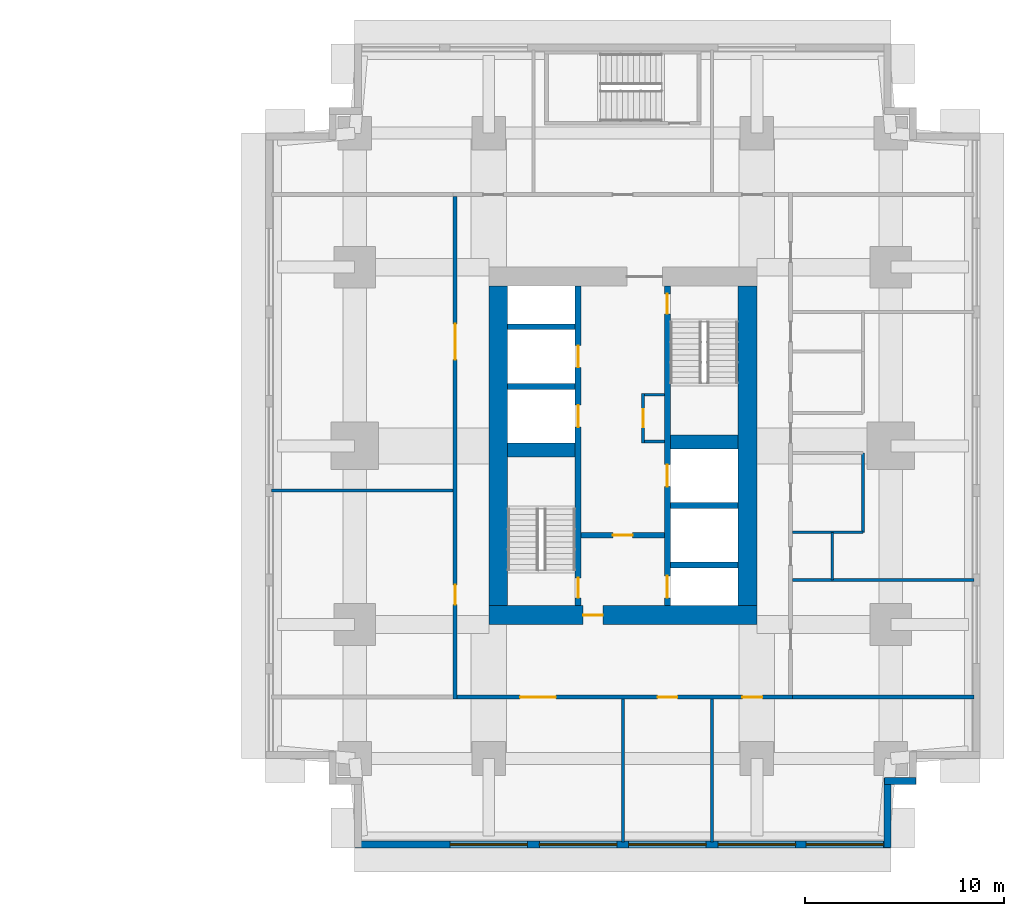
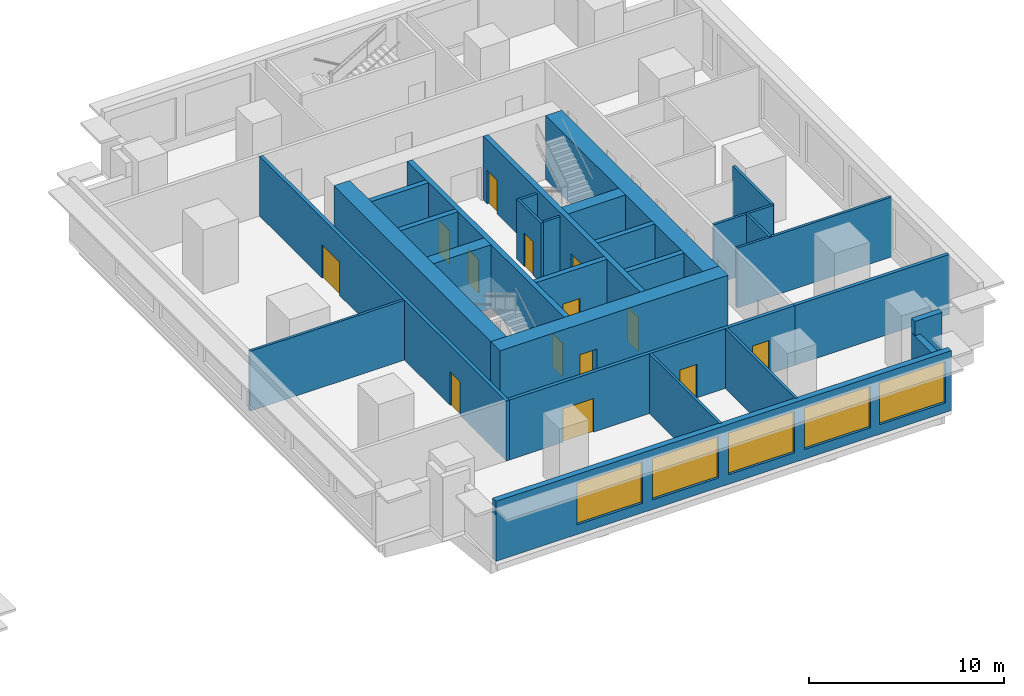
# One storey, part 6 of 11: 28 walls, 14 doors, 5 windows, 19 openings.
"""IFC4 building model written with IfcOpenShell, lengths in metres."""

from ifc_helpers import new_model, si_unit, direction, frame, frame_2d, origin, place, context, subcontext, project, spatial, rectangle, extrude, material, layer, layer_set, type_object, element, fill, save


model = new_model("IFC4")

# Units and contexts
model_context = context("Model", 3, precision=1e-05, world=origin(), true_north=direction((0.0, 1.0)))
body_context = subcontext(model_context, "Body", "Model", "MODEL_VIEW")
ifc_project = project(units=[si_unit("LENGTHUNIT", "METRE"), si_unit("AREAUNIT", "SQUARE_METRE"), si_unit("VOLUMEUNIT", "CUBIC_METRE"), si_unit("PLANEANGLEUNIT", "RADIAN"), si_unit("MASSUNIT", "GRAM", prefix="KILO")], contexts=[model_context])

# Site, building, storey
site_placement = place(None, origin())
site = spatial("IfcSite", under=ifc_project, at=site_placement, CompositionType="ELEMENT")
building_placement = place(site_placement, origin())
building = spatial("IfcBuilding", under=site, at=building_placement, Name="Namib Vertical Campus", CompositionType="ELEMENT")
storey_placement = place(building_placement, frame((0.0, 0.0, 69.0)))
storey = spatial("IfcBuildingStorey", under=building, at=storey_placement, Name="L16", CompositionType="ELEMENT", Elevation=69.0)

# Wall, openings, doors
ifc_material_1 = material(Name="Concrete C60/75", Category="concrete")
ifc_layer_1 = layer(ifc_material_1, 0.300048828125)
ifc_layer_set_1 = layer_set([ifc_layer_1], Name="Concrete C60/75")
wall_type_1 = type_object("IfcWallType", Name="Core inner wall 300", PredefinedType="SHEAR", material=ifc_layer_set_1)
wall_1_placement = place(storey_placement, frame((78.75, 12.199951171875, 0.0), z_axis=(0.0, 0.0, 1.0), x_axis=(0.0, 1.0, 0.0)))
wall_1 = element("IfcWall", 1, at=wall_1_placement, inside=storey, type_object=wall_type_1, Name="Core inner wall B L16 W1", PredefinedType="SHEAR", context=body_context, shape_type="SweptSolid", body=[
    extrude(rectangle(XDim=16.10009765625, YDim=0.300048828125, at=frame_2d((8.050048828125, 0.0))), origin(), (0.0, 0.0, 1.0), 4.0),
])
opening_1_placement = place(wall_1_placement, frame((0.39990234375, 0.0, 0.0)))
opening_1 = element("IfcOpeningElement", 2, at=opening_1_placement, cuts=wall_1, Name="Opening FD1", PredefinedType="OPENING", context=body_context, shape_type="SweptSolid", body=[
    extrude(rectangle(XDim=1.0, YDim=2.10009765625, at=frame_2d((0.5, 1.050048828125))), frame((0.0, 0.159912109375, 0.0), z_axis=(0.0, -1.0, 0.0), x_axis=(1.0, 0.0, 0.0)), (0.0, 0.0, 1.0), 0.320068359375),
])
opening_2_placement = place(wall_1_placement, frame((9.0, 0.0, 0.0)))
opening_2 = element("IfcOpeningElement", 3, at=opening_2_placement, cuts=wall_1, Name="Opening LD1", PredefinedType="OPENING", context=body_context, shape_type="SweptSolid", body=[
    extrude(rectangle(XDim=1.10009765625, YDim=2.10009765625, at=frame_2d((0.550048828125, 1.050048828125))), frame((0.0, 0.159912109375, 0.0), z_axis=(0.0, -1.0, 0.0), x_axis=(1.0, 0.0, 0.0)), (0.0, 0.0, 1.0), 0.320068359375),
])
opening_3_placement = place(wall_1_placement, frame((12.0, 0.0, 0.0)))
opening_3 = element("IfcOpeningElement", 4, at=opening_3_placement, cuts=wall_1, Name="Opening LD1", PredefinedType="OPENING", context=body_context, shape_type="SweptSolid", body=[
    extrude(rectangle(XDim=1.10009765625, YDim=2.10009765625, at=frame_2d((0.550048828125, 1.050048828125))), frame((0.0, 0.159912109375, 0.0), z_axis=(0.0, -1.0, 0.0), x_axis=(1.0, 0.0, 0.0)), (0.0, 0.0, 1.0), 0.320068359375),
])
ifc_material_2 = material(Name="Steel fire door", Category="steel")
door_type_1 = type_object("IfcDoorType", Name="Fire door 1000x2100", OperationType="SINGLE_SWING_RIGHT", PredefinedType="DOOR", material=ifc_material_2)
door_1_placement = place(opening_1_placement, origin())
door_1 = element("IfcDoor", 5, at=door_1_placement, inside=storey, type_object=door_type_1, Name="Stair door FD1 B L16 S1", OperationType="SINGLE_SWING_LEFT", OverallHeight=2.10009765625, OverallWidth=1.0, PredefinedType="DOOR", context=body_context, shape_type="SweptSolid", body=[
    extrude(rectangle(XDim=1.0, YDim=2.10009765625, at=frame_2d((0.5, 1.050048828125))), frame((0.0, 0.02490234375, 0.0), z_axis=(0.0, -1.0, 0.0), x_axis=(1.0, 0.0, 0.0)), (0.0, 0.0, 1.0), 0.050048828125),
])
fill(opening_1, door_1)
ifc_material_3 = material(Name="Stainless steel lift door", Category="steel")
door_type_2 = type_object("IfcDoorType", Name="Lift landing door 1100x2100", OperationType="DOUBLE_DOOR_SLIDING", PredefinedType="DOOR", material=ifc_material_3)
door_2_placement = place(opening_2_placement, origin())
door_2 = element("IfcDoor", 6, at=door_2_placement, inside=storey, type_object=door_type_2, Name="Lift landing door LD1 B-P1 L16", OperationType="DOUBLE_DOOR_SLIDING", OverallHeight=2.10009765625, OverallWidth=1.10009765625, PredefinedType="DOOR", context=body_context, shape_type="SweptSolid", body=[
    extrude(rectangle(XDim=1.10009765625, YDim=2.10009765625, at=frame_2d((0.550048828125, 1.050048828125))), frame((0.0, 0.02490234375, 0.0), z_axis=(0.0, -1.0, 0.0), x_axis=(1.0, 0.0, 0.0)), (0.0, 0.0, 1.0), 0.050048828125),
])
fill(opening_2, door_2)
door_3_placement = place(opening_3_placement, origin())
door_3 = element("IfcDoor", 7, at=door_3_placement, inside=storey, type_object=door_type_2, Name="Lift landing door LD1 B-P2 L16", OperationType="DOUBLE_DOOR_SLIDING", OverallHeight=2.10009765625, OverallWidth=1.10009765625, PredefinedType="DOOR", context=body_context, shape_type="SweptSolid", body=[
    extrude(rectangle(XDim=1.10009765625, YDim=2.10009765625, at=frame_2d((0.550048828125, 1.050048828125))), frame((0.0, 0.02490234375, 0.0), z_axis=(0.0, -1.0, 0.0), x_axis=(1.0, 0.0, 0.0)), (0.0, 0.0, 1.0), 0.050048828125),
])
fill(opening_3, door_3)

wall_2_placement = place(storey_placement, frame((83.25, 12.199951171875, 0.0), z_axis=(0.0, 0.0, 1.0), x_axis=(0.0, 1.0, 0.0)))
wall_2 = element("IfcWall", 8, at=wall_2_placement, inside=storey, type_object=wall_type_1, Name="Core inner wall B L16 W2", PredefinedType="SHEAR", context=body_context, shape_type="SweptSolid", body=[
    extrude(rectangle(XDim=16.10009765625, YDim=0.300048828125, at=frame_2d((8.050048828125, 0.0))), origin(), (0.0, 0.0, 1.0), 4.0),
])
opening_4_placement = place(wall_2_placement, frame((14.699951171875, 0.0, 0.0)))
opening_4 = element("IfcOpeningElement", 9, at=opening_4_placement, cuts=wall_2, Name="Opening FD1", PredefinedType="OPENING", context=body_context, shape_type="SweptSolid", body=[
    extrude(rectangle(XDim=1.0, YDim=2.10009765625, at=frame_2d((0.5, 1.050048828125))), frame((0.0, 0.159912109375, 0.0), z_axis=(0.0, -1.0, 0.0), x_axis=(1.0, 0.0, 0.0)), (0.0, 0.0, 1.0), 0.320068359375),
])
opening_5_placement = place(wall_2_placement, frame((0.39990234375, 0.0, 0.0)))
opening_5 = element("IfcOpeningElement", 10, at=opening_5_placement, cuts=wall_2, Name="Opening LD1", PredefinedType="OPENING", context=body_context, shape_type="SweptSolid", body=[
    extrude(rectangle(XDim=1.10009765625, YDim=2.10009765625, at=frame_2d((0.550048828125, 1.050048828125))), frame((0.0, 0.159912109375, 0.0), z_axis=(0.0, -1.0, 0.0), x_axis=(1.0, 0.0, 0.0)), (0.0, 0.0, 1.0), 0.320068359375),
])
opening_6_placement = place(wall_2_placement, frame((6.0, 0.0, 0.0)))
opening_6 = element("IfcOpeningElement", 11, at=opening_6_placement, cuts=wall_2, Name="Opening LD1", PredefinedType="OPENING", context=body_context, shape_type="SweptSolid", body=[
    extrude(rectangle(XDim=1.10009765625, YDim=2.10009765625, at=frame_2d((0.550048828125, 1.050048828125))), frame((0.0, 0.159912109375, 0.0), z_axis=(0.0, -1.0, 0.0), x_axis=(1.0, 0.0, 0.0)), (0.0, 0.0, 1.0), 0.320068359375),
])
door_4_placement = place(opening_4_placement, frame((1.0, 0.0, 0.0), z_axis=(0.0, 0.0, 1.0), x_axis=(-1.0, 0.0, 0.0)))
door_4 = element("IfcDoor", 12, at=door_4_placement, inside=storey, type_object=door_type_1, Name="Stair door FD1 B L16 S2", OperationType="SINGLE_SWING_LEFT", OverallHeight=2.10009765625, OverallWidth=1.0, PredefinedType="DOOR", context=body_context, shape_type="SweptSolid", body=[
    extrude(rectangle(XDim=1.0, YDim=2.10009765625, at=frame_2d((0.5, 1.050048828125))), frame((0.0, 0.02490234375, 0.0), z_axis=(0.0, -1.0, 0.0), x_axis=(1.0, 0.0, 0.0)), (0.0, 0.0, 1.0), 0.050048828125),
])
fill(opening_4, door_4)
door_5_placement = place(opening_5_placement, origin())
door_5 = element("IfcDoor", 13, at=door_5_placement, inside=storey, type_object=door_type_2, Name="Lift landing door LD1 B-FL1 L16", OperationType="DOUBLE_DOOR_SLIDING", OverallHeight=2.10009765625, OverallWidth=1.10009765625, PredefinedType="DOOR", context=body_context, shape_type="SweptSolid", body=[
    extrude(rectangle(XDim=1.10009765625, YDim=2.10009765625, at=frame_2d((0.550048828125, 1.050048828125))), frame((0.0, 0.02490234375, 0.0), z_axis=(0.0, -1.0, 0.0), x_axis=(1.0, 0.0, 0.0)), (0.0, 0.0, 1.0), 0.050048828125),
])
fill(opening_5, door_5)
door_6_placement = place(opening_6_placement, origin())
door_6 = element("IfcDoor", 14, at=door_6_placement, inside=storey, type_object=door_type_2, Name="Lift landing door LD1 B-P5 L16", OperationType="DOUBLE_DOOR_SLIDING", OverallHeight=2.10009765625, OverallWidth=1.10009765625, PredefinedType="DOOR", context=body_context, shape_type="SweptSolid", body=[
    extrude(rectangle(XDim=1.10009765625, YDim=2.10009765625, at=frame_2d((0.550048828125, 1.050048828125))), frame((0.0, 0.02490234375, 0.0), z_axis=(0.0, -1.0, 0.0), x_axis=(1.0, 0.0, 0.0)), (0.0, 0.0, 1.0), 0.050048828125),
])
fill(opening_6, door_6)

# Wall, opening, door
wall_3_placement = place(storey_placement, frame((78.89990234375, 15.75, 0.0), z_axis=(0.0, 0.0, 1.0), x_axis=(1.0, 0.0, 0.0)))
wall_3 = element("IfcWall", 15, at=wall_3_placement, inside=storey, type_object=wall_type_1, Name="Core inner wall B L16 W4", PredefinedType="SHEAR", context=body_context, shape_type="SweptSolid", body=[
    extrude(rectangle(XDim=4.2001953125, YDim=0.300048828125, at=frame_2d((2.10009765625, 0.0))), origin(), (0.0, 0.0, 1.0), 4.0),
])
opening_7_placement = place(wall_3_placement, frame((1.60009765625, 0.0, 0.0)))
opening_7 = element("IfcOpeningElement", 16, at=opening_7_placement, cuts=wall_3, Name="Opening FD5", PredefinedType="OPENING", context=body_context, shape_type="SweptSolid", body=[
    extrude(rectangle(XDim=1.0, YDim=2.10009765625, at=frame_2d((0.5, 1.050048828125))), frame((0.0, 0.159912109375, 0.0), z_axis=(0.0, -1.0, 0.0), x_axis=(1.0, 0.0, 0.0)), (0.0, 0.0, 1.0), 0.320068359375),
])
ifc_material_4 = material(Name="Steel fire door", Category="steel")
door_type_3 = type_object("IfcDoorType", Name="Fire door 1000x2100 120 min", OperationType="SINGLE_SWING_RIGHT", PredefinedType="DOOR", material=ifc_material_4)
door_7_placement = place(opening_7_placement, frame((1.0, 0.0, 0.0), z_axis=(0.0, 0.0, 1.0), x_axis=(-1.0, 0.0, 0.0)))
door_7 = element("IfcDoor", 17, at=door_7_placement, inside=storey, type_object=door_type_3, Name="Lobby door FD5 B L16", OperationType="SINGLE_SWING_RIGHT", OverallHeight=2.10009765625, OverallWidth=1.0, PredefinedType="DOOR", context=body_context, shape_type="SweptSolid", body=[
    extrude(rectangle(XDim=1.0, YDim=2.10009765625, at=frame_2d((0.5, 1.050048828125))), frame((0.0, 0.02490234375, 0.0), z_axis=(0.0, -1.0, 0.0), x_axis=(1.0, 0.0, 0.0)), (0.0, 0.0, 1.0), 0.050048828125),
])
fill(opening_7, door_7)

# Walls
for number, where, z_axis, x_axis, name in (
    (18, (83.39990234375, 14.25, 0.0), (0.0, 0.0, 1.0), (1.0, 0.0, 0.0), "Core inner wall B L16 W5"),
    (19, (83.39990234375, 17.25, 0.0), (0.0, 0.0, 1.0), (1.0, 0.0, 0.0), "Core inner wall B L16 W6"),
    (20, (75.199951171875, 23.25, 0.0), (0.0, 0.0, 1.0), (1.0, 0.0, 0.0), "Core inner wall B L16 W8"),
    (21, (75.199951171875, 26.25, 0.0), (0.0, 0.0, 1.0), (1.0, 0.0, 0.0), "Core inner wall B L16 W9"),
):
    element("IfcWall", number, at=place(storey_placement, frame(where, z_axis=z_axis, x_axis=x_axis)), inside=storey, type_object=wall_type_1, Name=name, PredefinedType="SHEAR", context=body_context, shape_type="SweptSolid", body=[
        extrude(rectangle(XDim=3.400146484375, YDim=0.300048828125, at=frame_2d((1.7001953125, 0.0))), origin(), (0.0, 0.0, 1.0), 4.0),
    ])
ifc_material_5 = material(Name="Concrete C60/75", Category="concrete")
ifc_layer_2 = layer(ifc_material_5, 0.699951171875)
ifc_layer_set_2 = layer_set([ifc_layer_2], Name="Concrete C60/75")
wall_type_2 = type_object("IfcWallType", Name="Core shear wall 700", PredefinedType="SHEAR", material=ifc_layer_set_2)
for number, where, z_axis, x_axis, name in (
    (22, (75.199951171875, 20.050048828125, 0.0), (0.0, 0.0, 1.0), (1.0, 0.0, 0.0), "Core shear wall B L16 W3"),
    (23, (83.39990234375, 20.449951171875, 0.0), (0.0, 0.0, 1.0), (1.0, 0.0, 0.0), "Core shear wall B L16 W7"),
):
    element("IfcWall", number, at=place(storey_placement, frame(where, z_axis=z_axis, x_axis=x_axis)), inside=storey, type_object=wall_type_2, Name=name, PredefinedType="SHEAR", context=body_context, shape_type="SweptSolid", body=[
        extrude(rectangle(XDim=3.400146484375, YDim=0.699951171875, at=frame_2d((1.7001953125, 0.0))), origin(), (0.0, 0.0, 1.0), 4.0),
    ])

# Wall, opening, door
ifc_material_6 = material(Name="Concrete C60/75", Category="concrete")
ifc_layer_3 = layer(ifc_material_6, 0.949951171875)
ifc_layer_set_3 = layer_set([ifc_layer_3], Name="Concrete C60/75")
wall_type_3 = type_object("IfcWallType", Name="Core wall 950", PredefinedType="SHEAR", material=ifc_layer_set_3)
wall_4_placement = place(storey_placement, frame((74.25, 11.72509765625, 0.0), z_axis=(0.0, 0.0, 1.0), x_axis=(1.0, 0.0, 0.0)))
wall_4 = element("IfcWall", 24, at=wall_4_placement, inside=storey, type_object=wall_type_3, Name="Core wall B L16 1", PredefinedType="SHEAR", context=body_context, shape_type="SweptSolid", body=[
    extrude(rectangle(XDim=13.5, YDim=0.949951171875, at=frame_2d((6.75, 0.0))), origin(), (0.0, 0.0, 1.0), 4.0),
])
opening_8_placement = place(wall_4_placement, frame((4.75, 0.0, 0.0)))
opening_8 = element("IfcOpeningElement", 25, at=opening_8_placement, cuts=wall_4, Name="Opening FD5", PredefinedType="OPENING", context=body_context, shape_type="SweptSolid", body=[
    extrude(rectangle(XDim=1.0, YDim=2.10009765625, at=frame_2d((0.5, 1.050048828125))), frame((0.0, 0.48486328125, 0.0), z_axis=(0.0, -1.0, 0.0), x_axis=(1.0, 0.0, 0.0)), (0.0, 0.0, 1.0), 0.969970703125),
])
door_8_placement = place(opening_8_placement, origin())
door_8 = element("IfcDoor", 26, at=door_8_placement, inside=storey, type_object=door_type_3, Name="Firefighting lobby door FD5 B L16", OperationType="SINGLE_SWING_LEFT", OverallHeight=2.10009765625, OverallWidth=1.0, PredefinedType="DOOR", context=body_context, shape_type="SweptSolid", body=[
    extrude(rectangle(XDim=1.0, YDim=2.10009765625, at=frame_2d((0.5, 1.050048828125))), frame((0.0, 0.02490234375, 0.0), z_axis=(0.0, -1.0, 0.0), x_axis=(1.0, 0.0, 0.0)), (0.0, 0.0, 1.0), 0.050048828125),
])
fill(opening_8, door_8)

# Walls
for number, where, z_axis, x_axis, name in (
    (27, (87.27490234375, 12.199951171875, 0.0), (0.0, 0.0, 1.0), (0.0, 1.0, 0.0), "Core wall B L16 2"),
    (28, (74.72509765625, 28.300048828125, 0.0), (0.0, 0.0, 1.0), (0.0, -1.0, 0.0), "Core wall B L16 4"),
):
    element("IfcWall", number, at=place(storey_placement, frame(where, z_axis=z_axis, x_axis=x_axis)), inside=storey, type_object=wall_type_3, Name=name, PredefinedType="SHEAR", context=body_context, shape_type="SweptSolid", body=[
        extrude(rectangle(XDim=16.10009765625, YDim=0.949951171875, at=frame_2d((8.050048828125, 0.0))), origin(), (0.0, 0.0, 1.0), 4.0),
    ])

# Wall, openings, doors
ifc_material_7 = material(Name="Concrete masonry", Category="masonry")
ifc_layer_4 = layer(ifc_material_7, 0.199951171875)
ifc_layer_set_4 = layer_set([ifc_layer_4], Name="Corridor wall 200")
wall_type_4 = type_object("IfcWallType", Name="Corridor wall 200", PredefinedType="SOLIDWALL", material=ifc_layer_set_4)
wall_5_placement = place(storey_placement, frame((72.64990234375, 7.60009765625, 0.0), z_axis=(0.0, 0.0, 1.0), x_axis=(1.0, 0.0, 0.0)))
wall_5 = element("IfcWall", 29, at=wall_5_placement, inside=storey, type_object=wall_type_4, Name="Corridor wall B L16 CS", PredefinedType="SOLIDWALL", context=body_context, shape_type="SweptSolid", body=[
    extrude(rectangle(XDim=16.900146484375, YDim=0.199951171875, at=frame_2d((8.4501953125, 0.0))), origin(), (0.0, 0.0, 1.0), 3.75),
])
opening_9_placement = place(wall_5_placement, frame((3.175048828125, 0.0, 0.0)))
opening_9 = element("IfcOpeningElement", 30, at=opening_9_placement, cuts=wall_5, Name="Opening CD2", PredefinedType="OPENING", context=body_context, shape_type="SweptSolid", body=[
    extrude(rectangle(XDim=1.800048828125, YDim=2.10009765625, at=frame_2d((0.89990234375, 1.050048828125))), frame((0.0, 0.10986328125, 0.0), z_axis=(0.0, -1.0, 0.0), x_axis=(1.0, 0.0, 0.0)), (0.0, 0.0, 1.0), 0.219970703125),
])
opening_10_placement = place(wall_5_placement, frame((10.10009765625, 0.0, 0.0)))
opening_10 = element("IfcOpeningElement", 31, at=opening_10_placement, cuts=wall_5, Name="Opening CD1", PredefinedType="OPENING", context=body_context, shape_type="SweptSolid", body=[
    extrude(rectangle(XDim=1.0, YDim=2.10009765625, at=frame_2d((0.5, 1.050048828125))), frame((0.0, 0.10986328125, 0.0), z_axis=(0.0, -1.0, 0.0), x_axis=(1.0, 0.0, 0.0)), (0.0, 0.0, 1.0), 0.219970703125),
])
opening_11_placement = place(wall_5_placement, frame((14.375, 0.0, 0.0)))
opening_11 = element("IfcOpeningElement", 32, at=opening_11_placement, cuts=wall_5, Name="Opening CD1", PredefinedType="OPENING", context=body_context, shape_type="SweptSolid", body=[
    extrude(rectangle(XDim=1.0, YDim=2.10009765625, at=frame_2d((0.5, 1.050048828125))), frame((0.0, 0.10986328125, 0.0), z_axis=(0.0, -1.0, 0.0), x_axis=(1.0, 0.0, 0.0)), (0.0, 0.0, 1.0), 0.219970703125),
])
ifc_material_8 = material(Name="Timber fire door leaf", Category="wood")
door_type_4 = type_object("IfcDoorType", Name="Corridor door 1000x2100 20 min", OperationType="SINGLE_SWING_LEFT", PredefinedType="DOOR", material=ifc_material_8)
door_9_placement = place(opening_10_placement, frame((1.0, 0.0, 0.0), z_axis=(0.0, 0.0, 1.0), x_axis=(-1.0, 0.0, 0.0)))
door_9 = element("IfcDoor", 33, at=door_9_placement, inside=storey, type_object=door_type_4, Name="Door CD1 B16-02", OperationType="SINGLE_SWING_RIGHT", OverallHeight=2.10009765625, OverallWidth=1.0, PredefinedType="DOOR", context=body_context, shape_type="SweptSolid", body=[
    extrude(rectangle(XDim=1.0, YDim=2.10009765625, at=frame_2d((0.5, 1.050048828125))), frame((0.0, 0.02490234375, 0.0), z_axis=(0.0, -1.0, 0.0), x_axis=(1.0, 0.0, 0.0)), (0.0, 0.0, 1.0), 0.050048828125),
])
fill(opening_10, door_9)
door_10_placement = place(opening_11_placement, frame((1.0, 0.0, 0.0), z_axis=(0.0, 0.0, 1.0), x_axis=(-1.0, 0.0, 0.0)))
door_10 = element("IfcDoor", 34, at=door_10_placement, inside=storey, type_object=door_type_4, Name="Door CD1 B16-03", OperationType="SINGLE_SWING_RIGHT", OverallHeight=2.10009765625, OverallWidth=1.0, PredefinedType="DOOR", context=body_context, shape_type="SweptSolid", body=[
    extrude(rectangle(XDim=1.0, YDim=2.10009765625, at=frame_2d((0.5, 1.050048828125))), frame((0.0, 0.02490234375, 0.0), z_axis=(0.0, -1.0, 0.0), x_axis=(1.0, 0.0, 0.0)), (0.0, 0.0, 1.0), 0.050048828125),
])
fill(opening_11, door_10)
ifc_material_9 = material(Name="Timber fire door leaf", Category="wood")
door_type_5 = type_object("IfcDoorType", Name="Corridor door double 1800x2100 20 min", OperationType="DOUBLE_DOOR_SINGLE_SWING", PredefinedType="DOOR", material=ifc_material_9)
door_11_placement = place(opening_9_placement, frame((1.800048828125, 0.0, 0.0), z_axis=(0.0, 0.0, 1.0), x_axis=(-1.0, 0.0, 0.0)))
door_11 = element("IfcDoor", 35, at=door_11_placement, inside=storey, type_object=door_type_5, Name="Door CD2 B16-01", OperationType="DOUBLE_DOOR_SINGLE_SWING", OverallHeight=2.10009765625, OverallWidth=1.800048828125, PredefinedType="DOOR", context=body_context, shape_type="SweptSolid", body=[
    extrude(rectangle(XDim=1.800048828125, YDim=2.10009765625, at=frame_2d((0.89990234375, 1.050048828125))), frame((0.0, 0.02490234375, 0.0), z_axis=(0.0, -1.0, 0.0), x_axis=(1.0, 0.0, 0.0)), (0.0, 0.0, 1.0), 0.050048828125),
])
fill(opening_9, door_11)

wall_6_placement = place(storey_placement, frame((72.550048828125, 32.800048828125, 0.0), z_axis=(0.0, 0.0, 1.0), x_axis=(0.0, -1.0, 0.0)))
wall_6 = element("IfcWall", 36, at=wall_6_placement, inside=storey, type_object=wall_type_4, Name="Corridor wall B L16 CW", PredefinedType="SOLIDWALL", context=body_context, shape_type="SweptSolid", body=[
    extrude(rectangle(XDim=25.300048828125, YDim=0.199951171875, at=frame_2d((12.64990234375, 0.0))), origin(), (0.0, 0.0, 1.0), 3.75),
])
opening_12_placement = place(wall_6_placement, frame((19.550048828125, 0.0, 0.0)))
opening_12 = element("IfcOpeningElement", 37, at=opening_12_placement, cuts=wall_6, Name="Opening CD1", PredefinedType="OPENING", context=body_context, shape_type="SweptSolid", body=[
    extrude(rectangle(XDim=1.0, YDim=2.10009765625, at=frame_2d((0.5, 1.050048828125))), frame((0.0, 0.10986328125, 0.0), z_axis=(0.0, -1.0, 0.0), x_axis=(1.0, 0.0, 0.0)), (0.0, 0.0, 1.0), 0.219970703125),
])
opening_13_placement = place(wall_6_placement, frame((6.39990234375, 0.0, 0.0)))
opening_13 = element("IfcOpeningElement", 38, at=opening_13_placement, cuts=wall_6, Name="Opening CD2", PredefinedType="OPENING", context=body_context, shape_type="SweptSolid", body=[
    extrude(rectangle(XDim=1.800048828125, YDim=2.10009765625, at=frame_2d((0.89990234375, 1.050048828125))), frame((0.0, 0.10986328125, 0.0), z_axis=(0.0, -1.0, 0.0), x_axis=(1.0, 0.0, 0.0)), (0.0, 0.0, 1.0), 0.219970703125),
])
door_12_placement = place(opening_12_placement, frame((1.0, 0.0, 0.0), z_axis=(0.0, 0.0, 1.0), x_axis=(-1.0, 0.0, 0.0)))
door_12 = element("IfcDoor", 39, at=door_12_placement, inside=storey, type_object=door_type_4, Name="Door CD1 B16-14", OperationType="SINGLE_SWING_RIGHT", OverallHeight=2.10009765625, OverallWidth=1.0, PredefinedType="DOOR", context=body_context, shape_type="SweptSolid", body=[
    extrude(rectangle(XDim=1.0, YDim=2.10009765625, at=frame_2d((0.5, 1.050048828125))), frame((0.0, 0.02490234375, 0.0), z_axis=(0.0, -1.0, 0.0), x_axis=(1.0, 0.0, 0.0)), (0.0, 0.0, 1.0), 0.050048828125),
])
fill(opening_12, door_12)
door_13_placement = place(opening_13_placement, frame((1.800048828125, 0.0, 0.0), z_axis=(0.0, 0.0, 1.0), x_axis=(-1.0, 0.0, 0.0)))
door_13 = element("IfcDoor", 40, at=door_13_placement, inside=storey, type_object=door_type_5, Name="Door CD2 B16-15", OperationType="DOUBLE_DOOR_SINGLE_SWING", OverallHeight=2.10009765625, OverallWidth=1.800048828125, PredefinedType="DOOR", context=body_context, shape_type="SweptSolid", body=[
    extrude(rectangle(XDim=1.800048828125, YDim=2.10009765625, at=frame_2d((0.89990234375, 1.050048828125))), frame((0.0, 0.02490234375, 0.0), z_axis=(0.0, -1.0, 0.0), x_axis=(1.0, 0.0, 0.0)), (0.0, 0.0, 1.0), 0.050048828125),
])
fill(opening_13, door_13)

# Wall
wall_7_placement = place(storey_placement, frame((89.550048828125, 7.60009765625, 0.0), z_axis=(0.0, 0.0, 1.0), x_axis=(1.0, 0.0, 0.0)))
element("IfcWall", 41, at=wall_7_placement, inside=storey, type_object=wall_type_4, Name="Partition B L16 BSE", PredefinedType="SOLIDWALL", context=body_context, shape_type="SweptSolid", body=[
    extrude(rectangle(XDim=9.14990234375, YDim=0.199951171875, at=frame_2d((4.574951171875, 0.0))), origin(), (0.0, 0.0, 1.0), 3.75),
])

# Wall, openings, windows
ifc_material_10 = material(Name="Concrete C40/50", Category="concrete")
ifc_layer_5 = layer(ifc_material_10, 0.35009765625)
ifc_layer_set_5 = layer_set([ifc_layer_5], Name="Concrete C40/50")
wall_type_5 = type_object("IfcWallType", Name="External wall 350 bush-hammered concrete", PredefinedType="STANDARD", material=ifc_layer_set_5)
wall_8_placement = place(storey_placement, frame((67.52001953125, 0.175048828125, 0.0), z_axis=(0.0, 0.0, 1.0), x_axis=(1.0, 0.0, 0.0)))
wall_8 = element("IfcWall", 42, at=wall_8_placement, inside=storey, type_object=wall_type_5, Name="External wall L16 F01", PredefinedType="STANDARD", context=body_context, shape_type="SweptSolid", body=[
    extrude(rectangle(XDim=26.9599609375, YDim=0.35009765625, at=frame_2d((13.47998046875, 0.0))), origin(), (0.0, 0.0, 1.0), 3.75),
])
opening_14_placement = place(wall_8_placement, frame((4.780029296875, 0.0, 0.60009765625)))
opening_14 = element("IfcOpeningElement", 43, at=opening_14_placement, cuts=wall_8, Name="Opening W2", PredefinedType="OPENING", context=body_context, shape_type="SweptSolid", body=[
    extrude(rectangle(XDim=3.89990234375, YDim=2.60009765625, at=frame_2d((1.949951171875, 1.300048828125))), frame((0.0, 0.18505859375, 0.0), z_axis=(0.0, -1.0, 0.0), x_axis=(1.0, 0.0, 0.0)), (0.0, 0.0, 1.0), 0.3701171875),
])
opening_15_placement = place(wall_8_placement, frame((9.280029296875, 0.0, 0.60009765625)))
opening_15 = element("IfcOpeningElement", 44, at=opening_15_placement, cuts=wall_8, Name="Opening W2", PredefinedType="OPENING", context=body_context, shape_type="SweptSolid", body=[
    extrude(rectangle(XDim=3.89990234375, YDim=2.60009765625, at=frame_2d((1.949951171875, 1.300048828125))), frame((0.0, 0.18505859375, 0.0), z_axis=(0.0, -1.0, 0.0), x_axis=(1.0, 0.0, 0.0)), (0.0, 0.0, 1.0), 0.3701171875),
])
opening_16_placement = place(wall_8_placement, frame((13.780029296875, 0.0, 0.60009765625)))
opening_16 = element("IfcOpeningElement", 45, at=opening_16_placement, cuts=wall_8, Name="Opening W2", PredefinedType="OPENING", context=body_context, shape_type="SweptSolid", body=[
    extrude(rectangle(XDim=3.89990234375, YDim=2.60009765625, at=frame_2d((1.949951171875, 1.300048828125))), frame((0.0, 0.18505859375, 0.0), z_axis=(0.0, -1.0, 0.0), x_axis=(1.0, 0.0, 0.0)), (0.0, 0.0, 1.0), 0.3701171875),
])
opening_17_placement = place(wall_8_placement, frame((18.280029296875, 0.0, 0.60009765625)))
opening_17 = element("IfcOpeningElement", 46, at=opening_17_placement, cuts=wall_8, Name="Opening W2", PredefinedType="OPENING", context=body_context, shape_type="SweptSolid", body=[
    extrude(rectangle(XDim=3.89990234375, YDim=2.60009765625, at=frame_2d((1.949951171875, 1.300048828125))), frame((0.0, 0.18505859375, 0.0), z_axis=(0.0, -1.0, 0.0), x_axis=(1.0, 0.0, 0.0)), (0.0, 0.0, 1.0), 0.3701171875),
])
opening_18_placement = place(wall_8_placement, frame((22.7099609375, 0.0, 0.60009765625)))
opening_18 = element("IfcOpeningElement", 47, at=opening_18_placement, cuts=wall_8, Name="Opening W2", PredefinedType="OPENING", context=body_context, shape_type="SweptSolid", body=[
    extrude(rectangle(XDim=3.89990234375, YDim=2.60009765625, at=frame_2d((1.949951171875, 1.300048828125))), frame((0.0, 0.18505859375, 0.0), z_axis=(0.0, -1.0, 0.0), x_axis=(1.0, 0.0, 0.0)), (0.0, 0.0, 1.0), 0.3701171875),
])
ifc_material_11 = material(Name="Dark tinted glass in black aluminium frame", Category="aluminium")
window_type = type_object("IfcWindowType", Name="Ribbon window 3900x2600", PartitioningType="SINGLE_PANEL", PredefinedType="WINDOW", material=ifc_material_11)
window_1_placement = place(opening_14_placement, origin())
window_1 = element("IfcWindow", 48, at=window_1_placement, inside=storey, type_object=window_type, Name="Window W2 L16 F01-2", OverallHeight=2.60009765625, OverallWidth=3.89990234375, PartitioningType="SINGLE_PANEL", PredefinedType="WINDOW", context=body_context, shape_type="SweptSolid", body=[
    extrude(rectangle(XDim=3.89990234375, YDim=2.60009765625, at=frame_2d((1.949951171875, 1.300048828125))), frame((0.0, 0.030029296875, 0.0), z_axis=(0.0, -1.0, 0.0), x_axis=(1.0, 0.0, 0.0)), (0.0, 0.0, 1.0), 0.06005859375),
])
fill(opening_14, window_1)
window_2_placement = place(opening_15_placement, origin())
window_2 = element("IfcWindow", 49, at=window_2_placement, inside=storey, type_object=window_type, Name="Window W2 L16 F01-3", OverallHeight=2.60009765625, OverallWidth=3.89990234375, PartitioningType="SINGLE_PANEL", PredefinedType="WINDOW", context=body_context, shape_type="SweptSolid", body=[
    extrude(rectangle(XDim=3.89990234375, YDim=2.60009765625, at=frame_2d((1.949951171875, 1.300048828125))), frame((0.0, 0.030029296875, 0.0), z_axis=(0.0, -1.0, 0.0), x_axis=(1.0, 0.0, 0.0)), (0.0, 0.0, 1.0), 0.06005859375),
])
fill(opening_15, window_2)
window_3_placement = place(opening_16_placement, origin())
window_3 = element("IfcWindow", 50, at=window_3_placement, inside=storey, type_object=window_type, Name="Window W2 L16 F01-4", OverallHeight=2.60009765625, OverallWidth=3.89990234375, PartitioningType="SINGLE_PANEL", PredefinedType="WINDOW", context=body_context, shape_type="SweptSolid", body=[
    extrude(rectangle(XDim=3.89990234375, YDim=2.60009765625, at=frame_2d((1.949951171875, 1.300048828125))), frame((0.0, 0.030029296875, 0.0), z_axis=(0.0, -1.0, 0.0), x_axis=(1.0, 0.0, 0.0)), (0.0, 0.0, 1.0), 0.06005859375),
])
fill(opening_16, window_3)
window_4_placement = place(opening_17_placement, origin())
window_4 = element("IfcWindow", 51, at=window_4_placement, inside=storey, type_object=window_type, Name="Window W2 L16 F01-5", OverallHeight=2.60009765625, OverallWidth=3.89990234375, PartitioningType="SINGLE_PANEL", PredefinedType="WINDOW", context=body_context, shape_type="SweptSolid", body=[
    extrude(rectangle(XDim=3.89990234375, YDim=2.60009765625, at=frame_2d((1.949951171875, 1.300048828125))), frame((0.0, 0.030029296875, 0.0), z_axis=(0.0, -1.0, 0.0), x_axis=(1.0, 0.0, 0.0)), (0.0, 0.0, 1.0), 0.06005859375),
])
fill(opening_17, window_4)
window_5_placement = place(opening_18_placement, origin())
window_5 = element("IfcWindow", 52, at=window_5_placement, inside=storey, type_object=window_type, Name="Window W2 L16 F01-6", OverallHeight=2.60009765625, OverallWidth=3.89990234375, PartitioningType="SINGLE_PANEL", PredefinedType="WINDOW", context=body_context, shape_type="SweptSolid", body=[
    extrude(rectangle(XDim=3.89990234375, YDim=2.60009765625, at=frame_2d((1.949951171875, 1.300048828125))), frame((0.0, 0.030029296875, 0.0), z_axis=(0.0, -1.0, 0.0), x_axis=(1.0, 0.0, 0.0)), (0.0, 0.0, 1.0), 0.06005859375),
])
fill(opening_18, window_5)

# Walls
wall_9_placement = place(storey_placement, frame((94.324951171875, 0.02001953125, 0.0), z_axis=(0.0, 0.0, 1.0), x_axis=(0.0, 1.0, 0.0)))
element("IfcWall", 53, at=wall_9_placement, inside=storey, type_object=wall_type_5, Name="External wall L16 F02", PredefinedType="STANDARD", context=body_context, shape_type="SweptSolid", body=[
    extrude(rectangle(XDim=3.510009765625, YDim=0.35009765625, at=frame_2d((1.7548828125, 0.0))), origin(), (0.0, 0.0, 1.0), 2.85009765625),
])
wall_10_placement = place(storey_placement, frame((94.169921875, 3.375, 0.0), z_axis=(0.0, 0.0, 1.0), x_axis=(1.0, 0.0, 0.0)))
element("IfcWall", 54, at=wall_10_placement, inside=storey, type_object=wall_type_5, Name="External wall L16 F03", PredefinedType="STANDARD", context=body_context, shape_type="SweptSolid", body=[
    extrude(rectangle(XDim=1.610107421875, YDim=0.35009765625, at=frame_2d((0.80517578125, 0.0))), origin(), (0.0, 0.0, 1.0), 3.75),
])

# Wall, opening, door
ifc_material_12 = material(Name="Gypsum board on steel studs", Category="steel")
ifc_layer_6 = layer(ifc_material_12, 0.14990234375)
ifc_layer_set_6 = layer_set([ifc_layer_6], Name="Gypsum board on steel studs")
wall_type_6 = type_object("IfcWallType", Name="Partition 150", PredefinedType="PARTITIONING", material=ifc_layer_set_6)
wall_11_placement = place(storey_placement, frame((82.02490234375, 20.39990234375, 0.0), z_axis=(0.0, 0.0, 1.0), x_axis=(0.0, 1.0, 0.0)))
wall_11 = element("IfcWall", 55, at=wall_11_placement, inside=storey, type_object=wall_type_6, Name="Partition B L16 Cleaners' store front", PredefinedType="PARTITIONING", context=body_context, shape_type="SweptSolid", body=[
    extrude(rectangle(XDim=2.5, YDim=0.14990234375, at=frame_2d((1.25, 0.0))), origin(), (0.0, 0.0, 1.0), 3.75),
])
opening_19_placement = place(wall_11_placement, frame((0.800048828125, 0.0, 0.0)))
opening_19 = element("IfcOpeningElement", 56, at=opening_19_placement, cuts=wall_11, Name="Opening D3", PredefinedType="OPENING", context=body_context, shape_type="SweptSolid", body=[
    extrude(rectangle(XDim=0.89990234375, YDim=2.10009765625, at=frame_2d((0.449951171875, 1.050048828125))), frame((0.0, 0.0849609375, 0.0), z_axis=(0.0, -1.0, 0.0), x_axis=(1.0, 0.0, 0.0)), (0.0, 0.0, 1.0), 0.169921875),
])
ifc_material_13 = material(Name="Timber door leaf", Category="wood")
door_type_6 = type_object("IfcDoorType", Name="Toilet door 900x2100", OperationType="SINGLE_SWING_LEFT", PredefinedType="DOOR", material=ifc_material_13)
door_14_placement = place(opening_19_placement, frame((0.89990234375, 0.0, 0.0), z_axis=(0.0, 0.0, 1.0), x_axis=(-1.0, 0.0, 0.0)))
door_14 = element("IfcDoor", 57, at=door_14_placement, inside=storey, type_object=door_type_6, Name="Door D3 Cleaners' store B L16", OperationType="SINGLE_SWING_RIGHT", OverallHeight=2.10009765625, OverallWidth=0.89990234375, PredefinedType="DOOR", context=body_context, shape_type="SweptSolid", body=[
    extrude(rectangle(XDim=0.89990234375, YDim=2.10009765625, at=frame_2d((0.449951171875, 1.050048828125))), frame((0.0, 0.02490234375, 0.0), z_axis=(0.0, -1.0, 0.0), x_axis=(1.0, 0.0, 0.0)), (0.0, 0.0, 1.0), 0.050048828125),
])
fill(opening_19, door_14)

# Walls
for number, where, z_axis, x_axis, name in (
    (58, (82.10009765625, 20.47509765625, 0.0), (0.0, 0.0, 1.0), (1.0, 0.0, 0.0), "Partition B L16 Cleaners' store end 1"),
    (59, (82.10009765625, 22.824951171875, 0.0), (0.0, 0.0, 1.0), (1.0, 0.0, 0.0), "Partition B L16 Cleaners' store end 2"),
):
    element("IfcWall", number, at=place(storey_placement, frame(where, z_axis=z_axis, x_axis=x_axis)), inside=storey, type_object=wall_type_6, Name=name, PredefinedType="PARTITIONING", context=body_context, shape_type="SweptSolid", body=[
        extrude(rectangle(XDim=1.0, YDim=0.14990234375, at=frame_2d((0.5, 0.0))), origin(), (0.0, 0.0, 1.0), 3.75),
    ])
for number, where, z_axis, x_axis, name in (
    (60, (81.0, 0.300048828125, 0.0), (0.0, 0.0, 1.0), (0.0, 1.0, 0.0), "Partition B L16 PS1"),
    (61, (85.5, 0.300048828125, 0.0), (0.0, 0.0, 1.0), (0.0, 1.0, 0.0), "Partition B L16 PS2"),
):
    element("IfcWall", number, at=place(storey_placement, frame(where, z_axis=z_axis, x_axis=x_axis)), inside=storey, type_object=wall_type_6, Name=name, PredefinedType="PARTITIONING", context=body_context, shape_type="SweptSolid", body=[
        extrude(rectangle(XDim=7.199951171875, YDim=0.14990234375, at=frame_2d((3.60009765625, 0.0))), origin(), (0.0, 0.0, 1.0), 3.75),
    ])
for number, where, z_axis, x_axis, name in (
    (62, (89.550048828125, 13.5, 0.0), (0.0, 0.0, 1.0), (1.0, 0.0, 0.0), "Partition B L16 PE1"),
    (63, (63.300048828125, 18.0, 0.0), (0.0, 0.0, 1.0), (1.0, 0.0, 0.0), "Partition B L16 PW1"),
):
    element("IfcWall", number, at=place(storey_placement, frame(where, z_axis=z_axis, x_axis=x_axis)), inside=storey, type_object=wall_type_6, Name=name, PredefinedType="PARTITIONING", context=body_context, shape_type="SweptSolid", body=[
        extrude(rectangle(XDim=9.14990234375, YDim=0.14990234375, at=frame_2d((4.574951171875, 0.0))), origin(), (0.0, 0.0, 1.0), 3.75),
    ])
wall_12_placement = place(storey_placement, frame((89.550048828125, 15.89990234375, 0.0), z_axis=(0.0, 0.0, 1.0), x_axis=(1.0, 0.0, 0.0)))
element("IfcWall", 64, at=wall_12_placement, inside=storey, type_object=wall_type_6, Name="Partition B L16 WR1", PredefinedType="PARTITIONING", context=body_context, shape_type="SweptSolid", body=[
    extrude(rectangle(XDim=3.550048828125, YDim=0.14990234375, at=frame_2d((1.77490234375, 0.0))), origin(), (0.0, 0.0, 1.0), 3.75),
])
wall_13_placement = place(storey_placement, frame((91.550048828125, 13.5, 0.0), z_axis=(0.0, 0.0, 1.0), x_axis=(0.0, 1.0, 0.0)))
element("IfcWall", 65, at=wall_13_placement, inside=storey, type_object=wall_type_6, Name="Partition B L16 WB1", PredefinedType="PARTITIONING", context=body_context, shape_type="SweptSolid", body=[
    extrude(rectangle(XDim=2.39990234375, YDim=0.14990234375, at=frame_2d((1.199951171875, 0.0))), origin(), (0.0, 0.0, 1.0), 3.75),
])
wall_14_placement = place(storey_placement, frame((93.10009765625, 15.89990234375, 0.0), z_axis=(0.0, 0.0, 1.0), x_axis=(0.0, 1.0, 0.0)))
element("IfcWall", 66, at=wall_14_placement, inside=storey, type_object=wall_type_6, Name="Partition B L16 WB2", PredefinedType="PARTITIONING", context=body_context, shape_type="SweptSolid", body=[
    extrude(rectangle(XDim=4.0, YDim=0.14990234375, at=frame_2d((2.0, 0.0))), origin(), (0.0, 0.0, 1.0), 3.75),
])

save(model, "model.ifc")
